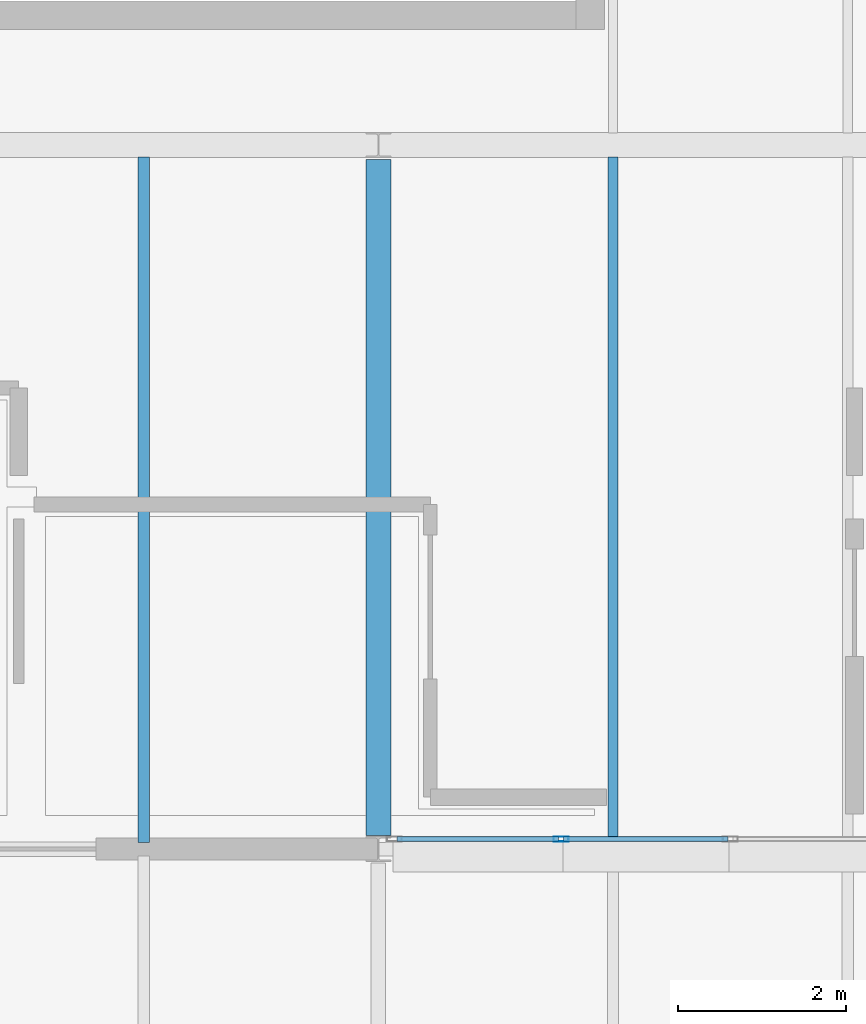
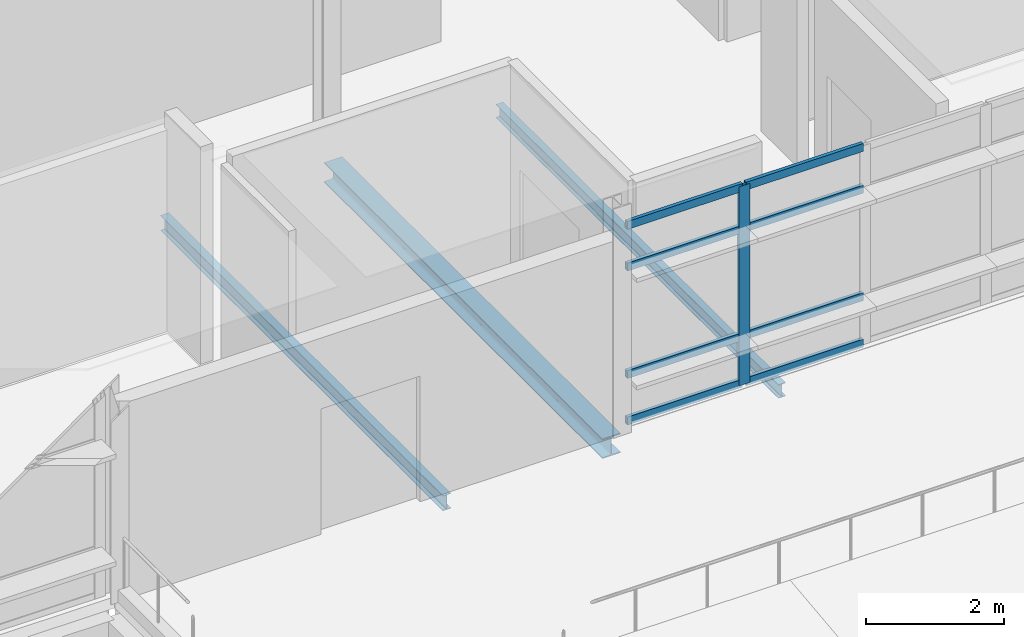
# One storey, part 19 of 151: 9 members, 3 beams, 1 element without a shape of its own.
"""IFC4 building model written with IfcOpenShell, lengths in metres."""

from ifc_helpers import new_model, si_unit, direction, frame, origin, origin_2d, place, context, subcontext, project, spatial, hollow_rectangle, i_section, extrude, material, material_profile, profile_set, type_object, element, aggregate, save


model = new_model("IFC4")

# Units and contexts
model_context = context("Model", 3, precision=1e-05, world=origin(), true_north=direction((0.0, 1.0)))
body_context = subcontext(model_context, "Body", "Model", "MODEL_VIEW")
ifc_project = project(units=[si_unit("LENGTHUNIT", "METRE"), si_unit("AREAUNIT", "SQUARE_METRE"), si_unit("VOLUMEUNIT", "CUBIC_METRE"), si_unit("PLANEANGLEUNIT", "RADIAN"), si_unit("MASSUNIT", "GRAM", prefix="KILO")], contexts=[model_context])

# Site, building, storey
site_placement = place(None, origin())
site = spatial("IfcSite", under=ifc_project, at=site_placement, CompositionType="ELEMENT")
building_placement = place(site_placement, origin())
building = spatial("IfcBuilding", under=site, at=building_placement, Name="Mersafa Astral City Hall", CompositionType="ELEMENT")
storey_placement = place(building_placement, frame((0.0, 0.0, 9.89990234375)))
storey = spatial("IfcBuildingStorey", under=building, at=storey_placement, Name="L02", CompositionType="ELEMENT", Elevation=9.89990234375)

# Curtain wall, members
ifc_material_1 = material(Name="Anodised bronze aluminium framing", Category="aluminium")
curtain_wall_type = type_object("IfcCurtainWallType", Name="ENV-CW-4", PredefinedType="USERDEFINED", material=ifc_material_1)
curtain_wall_placement = place(storey_placement, origin())
curtain_wall = element("IfcCurtainWall", 1, at=curtain_wall_placement, inside=storey, type_object=curtain_wall_type, Name="L02 Unitised solar curtain wall 105", ObjectType="UNITISED CURTAIN WALL", PredefinedType="USERDEFINED")
ifc_material_profile_1 = material_profile(ifc_material_1, hollow_rectangle(XDim=0.06005859375, YDim=0.179931640625, WallThickness=0.00390625, at=origin_2d()), Name="RHS 60x180x4")
ifc_profile_set_1 = profile_set([ifc_material_profile_1], Name="Anodised bronze aluminium framing")
member_type_1 = type_object("IfcMemberType", Name="ENV-CW-MUL-1", PredefinedType="MULLION", material=ifc_profile_set_1)
member_1_placement = place(storey_placement, frame((102.98095703125, 25.320068359375, -0.001953125), z_axis=(0.0, 0.0, 1.0), x_axis=(0.0, 1.0, 0.0)))
member_1 = element("IfcMember", 2, at=member_1_placement, type_object=member_type_1, Name="CW-4 mullion 2", PredefinedType="MULLION", context=body_context, shape_type="SweptSolid", body=[
    extrude(hollow_rectangle(XDim=0.06005859375, YDim=0.179931640625, WallThickness=0.00390625, at=origin_2d()), origin(), (0.0, 0.0, 1.0), 3.51904296875),
])
ifc_material_profile_2 = material_profile(ifc_material_1, hollow_rectangle(XDim=0.06005859375, YDim=0.139892578125, WallThickness=0.00390625, at=origin_2d()), Name="RHS 60x140x4")
ifc_profile_set_2 = profile_set([ifc_material_profile_2], Name="Anodised bronze aluminium framing")
member_type_2 = type_object("IfcMemberType", Name="ENV-CW-TRN-1", PredefinedType="USERDEFINED", material=ifc_profile_set_2)
member_2_placement = place(storey_placement, frame((101.02197265625, 25.320068359375, 0.028076171875), z_axis=(1.0, 0.0, 0.0), x_axis=(0.0, 1.0, 0.0)))
member_2 = element("IfcMember", 3, at=member_2_placement, type_object=member_type_2, Name="CW-4 transom 1.1", ObjectType="TRANSOM", PredefinedType="USERDEFINED", context=body_context, shape_type="SweptSolid", body=[
    extrude(hollow_rectangle(XDim=0.06005859375, YDim=0.139892578125, WallThickness=0.00390625, at=origin_2d()), origin(), (0.0, 0.0, 1.0), 1.928955078125),
])
member_3_placement = place(storey_placement, frame((101.02197265625, 25.320068359375, 0.85009765625), z_axis=(1.0, 0.0, 0.0), x_axis=(0.0, 1.0, 0.0)))
member_3 = element("IfcMember", 4, at=member_3_placement, type_object=member_type_2, Name="CW-4 transom 1.2", ObjectType="TRANSOM", PredefinedType="USERDEFINED", context=body_context, shape_type="SweptSolid", body=[
    extrude(hollow_rectangle(XDim=0.06005859375, YDim=0.139892578125, WallThickness=0.00390625, at=origin_2d()), origin(), (0.0, 0.0, 1.0), 1.928955078125),
])
member_4_placement = place(storey_placement, frame((101.02197265625, 25.320068359375, 2.75), z_axis=(1.0, 0.0, 0.0), x_axis=(0.0, 1.0, 0.0)))
member_4 = element("IfcMember", 5, at=member_4_placement, type_object=member_type_2, Name="CW-4 transom 1.3", ObjectType="TRANSOM", PredefinedType="USERDEFINED", context=body_context, shape_type="SweptSolid", body=[
    extrude(hollow_rectangle(XDim=0.06005859375, YDim=0.139892578125, WallThickness=0.00390625, at=origin_2d()), origin(), (0.0, 0.0, 1.0), 1.928955078125),
])
member_5_placement = place(storey_placement, frame((101.02197265625, 25.320068359375, 3.487060546875), z_axis=(1.0, 0.0, 0.0), x_axis=(0.0, 1.0, 0.0)))
member_5 = element("IfcMember", 6, at=member_5_placement, type_object=member_type_2, Name="CW-4 transom 1.4", ObjectType="TRANSOM", PredefinedType="USERDEFINED", context=body_context, shape_type="SweptSolid", body=[
    extrude(hollow_rectangle(XDim=0.06005859375, YDim=0.139892578125, WallThickness=0.00390625, at=origin_2d()), origin(), (0.0, 0.0, 1.0), 1.928955078125),
])
member_6_placement = place(storey_placement, frame((103.010986328125, 25.320068359375, 0.028076171875), z_axis=(1.0, 0.0, 0.0), x_axis=(0.0, 1.0, 0.0)))
member_6 = element("IfcMember", 7, at=member_6_placement, type_object=member_type_2, Name="CW-4 transom 2.1", ObjectType="TRANSOM", PredefinedType="USERDEFINED", context=body_context, shape_type="SweptSolid", body=[
    extrude(hollow_rectangle(XDim=0.06005859375, YDim=0.139892578125, WallThickness=0.00390625, at=origin_2d()), origin(), (0.0, 0.0, 1.0), 1.958984375),
])
member_7_placement = place(storey_placement, frame((103.010986328125, 25.320068359375, 0.85009765625), z_axis=(1.0, 0.0, 0.0), x_axis=(0.0, 1.0, 0.0)))
member_7 = element("IfcMember", 8, at=member_7_placement, type_object=member_type_2, Name="CW-4 transom 2.2", ObjectType="TRANSOM", PredefinedType="USERDEFINED", context=body_context, shape_type="SweptSolid", body=[
    extrude(hollow_rectangle(XDim=0.06005859375, YDim=0.139892578125, WallThickness=0.00390625, at=origin_2d()), origin(), (0.0, 0.0, 1.0), 1.958984375),
])
member_8_placement = place(storey_placement, frame((103.010986328125, 25.320068359375, 2.75), z_axis=(1.0, 0.0, 0.0), x_axis=(0.0, 1.0, 0.0)))
member_8 = element("IfcMember", 9, at=member_8_placement, type_object=member_type_2, Name="CW-4 transom 2.3", ObjectType="TRANSOM", PredefinedType="USERDEFINED", context=body_context, shape_type="SweptSolid", body=[
    extrude(hollow_rectangle(XDim=0.06005859375, YDim=0.139892578125, WallThickness=0.00390625, at=origin_2d()), origin(), (0.0, 0.0, 1.0), 1.958984375),
])
member_9_placement = place(storey_placement, frame((103.010986328125, 25.320068359375, 3.487060546875), z_axis=(1.0, 0.0, 0.0), x_axis=(0.0, 1.0, 0.0)))
member_9 = element("IfcMember", 10, at=member_9_placement, type_object=member_type_2, Name="CW-4 transom 2.4", ObjectType="TRANSOM", PredefinedType="USERDEFINED", context=body_context, shape_type="SweptSolid", body=[
    extrude(hollow_rectangle(XDim=0.06005859375, YDim=0.139892578125, WallThickness=0.00390625, at=origin_2d()), origin(), (0.0, 0.0, 1.0), 1.958984375),
])
aggregate(curtain_wall, [member_1, member_2, member_3, member_4, member_5, member_6, member_7, member_8, member_9])

# Beams
ifc_material_2 = material(Name="Steel S355", Category="steel")
ifc_material_profile_3 = material_profile(ifc_material_2, i_section(OverallWidth=0.300048828125, OverallDepth=0.35009765625, WebThickness=0.010009765625, FlangeThickness=0.017578125, FilletRadius=0.027099609375, at=origin_2d()), Name="HEA 360")
ifc_profile_set_3 = profile_set([ifc_material_profile_3], Name="Steel S355")
beam_type_1 = type_object("IfcBeamType", Name="STR-BM-HEA360", PredefinedType="BEAM", material=ifc_profile_set_3)
beam_1_placement = place(storey_placement, frame((100.800048828125, 25.364990234375, -0.375), z_axis=(0.0, 1.0, 0.0), x_axis=(-1.0, 0.0, 0.0)))
element("IfcBeam", 11, at=beam_1_placement, inside=storey, type_object=beam_type_1, Name="L02 Primary girder Y 12-3", PredefinedType="BEAM", context=body_context, shape_type="SweptSolid", body=[
    extrude(i_section(OverallWidth=0.300048828125, OverallDepth=0.35009765625, WebThickness=0.010009765625, FlangeThickness=0.017578125, FilletRadius=0.027099609375, at=origin_2d()), origin(), (0.0, 0.0, 1.0), 8.06005859375),
])
ifc_material_profile_4 = material_profile(ifc_material_2, i_section(OverallWidth=0.1201171875, OverallDepth=0.239990234375, WebThickness=0.006103515625, FlangeThickness=0.009765625, FilletRadius=0.014892578125, at=origin_2d()), Name="IPE 240")
ifc_profile_set_4 = profile_set([ifc_material_profile_4], Name="Steel S355")
beam_type_2 = type_object("IfcBeamType", Name="STR-BM-JOIST-IPE240", PredefinedType="JOIST", material=ifc_profile_set_4)
beam_2_placement = place(storey_placement, frame((103.60009765625, 25.27490234375, -0.31982421875), z_axis=(0.0, 1.0, 0.0), x_axis=(-1.0, 0.0, 0.0)))
element("IfcBeam", 12, at=beam_2_placement, inside=storey, type_object=beam_type_2, Name="L02 Composite secondary floor joist 452", PredefinedType="JOIST", context=body_context, shape_type="SweptSolid", body=[
    extrude(i_section(OverallWidth=0.1201171875, OverallDepth=0.239990234375, WebThickness=0.006103515625, FlangeThickness=0.009765625, FilletRadius=0.014892578125, at=origin_2d()), origin(), (0.0, 0.0, 1.0), 8.18017578125),
])
ifc_material_profile_5 = material_profile(ifc_material_2, i_section(OverallWidth=0.135009765625, OverallDepth=0.27001953125, WebThickness=0.006591796875, FlangeThickness=0.01025390625, FilletRadius=0.014892578125, at=origin_2d()), Name="IPE 270")
ifc_profile_set_5 = profile_set([ifc_material_profile_5], Name="Steel S355")
beam_type_3 = type_object("IfcBeamType", Name="STR-BM-JOIST-IPE270", PredefinedType="JOIST", material=ifc_profile_set_5)
beam_3_placement = place(storey_placement, frame((98.0, 25.280029296875, -0.3349609375), z_axis=(0.0, 1.0, 0.0), x_axis=(-1.0, 0.0, 0.0)))
element("IfcBeam", 13, at=beam_3_placement, inside=storey, type_object=beam_type_3, Name="L02 Composite secondary floor joist 437", PredefinedType="JOIST", context=body_context, shape_type="SweptSolid", body=[
    extrude(i_section(OverallWidth=0.135009765625, OverallDepth=0.27001953125, WebThickness=0.006591796875, FlangeThickness=0.01025390625, FilletRadius=0.014892578125, at=origin_2d()), origin(), (0.0, 0.0, 1.0), 8.175048828125),
])

save(model, "model.ifc")
